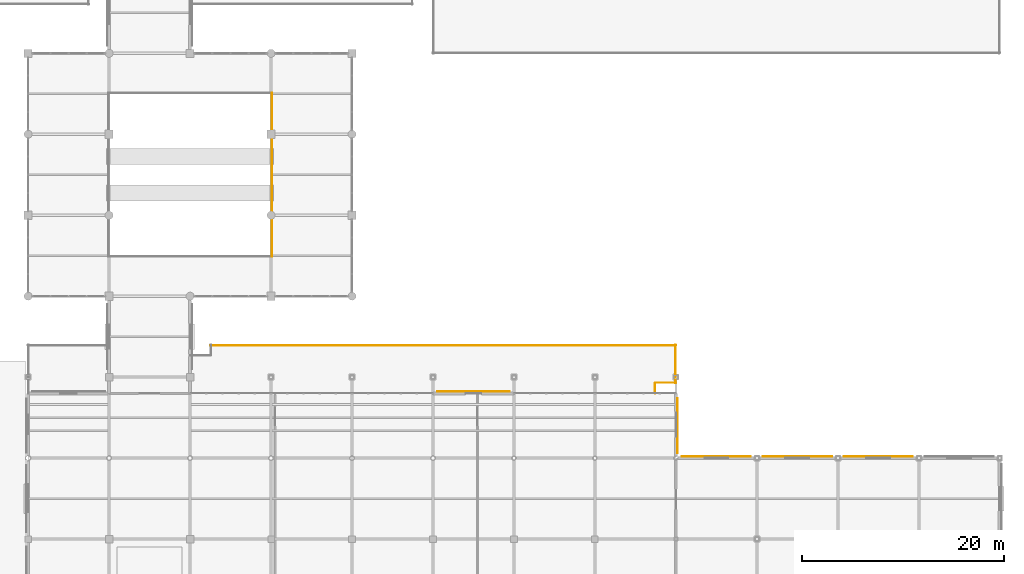
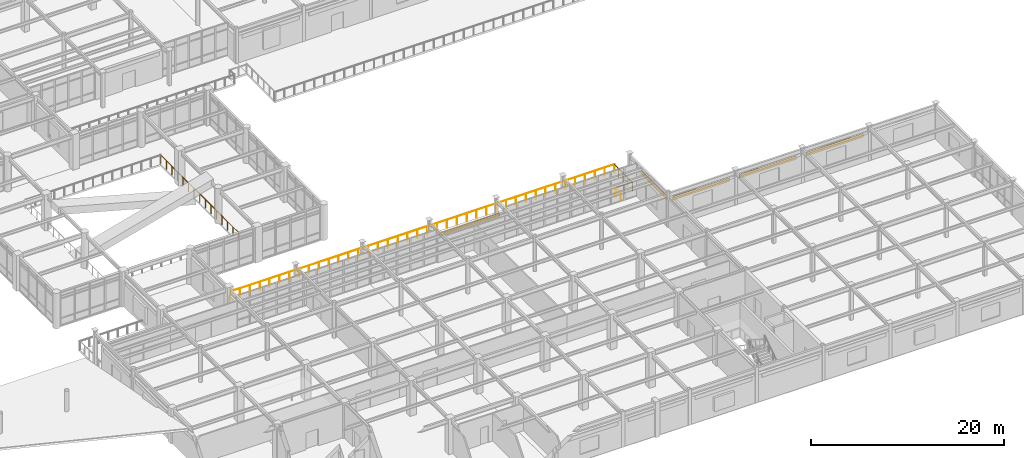
# One storey, part 103 of 111: 5 coverings, 5 railings.
"""IFC4 building model written with IfcOpenShell, lengths in metres."""

from ifc_helpers import new_model, si_unit, direction, frame, origin, origin_2d, place, context, subcontext, project, spatial, rectangle, circle, extrude, material, layer, layer_set, type_object, element, save


model = new_model("IFC4")

# Units and contexts
model_context = context("Model", 3, precision=1e-05, world=origin(), true_north=direction((0.0, 1.0)))
body_context = subcontext(model_context, "Body", "Model", "MODEL_VIEW")
ifc_project = project(units=[si_unit("LENGTHUNIT", "METRE"), si_unit("AREAUNIT", "SQUARE_METRE"), si_unit("VOLUMEUNIT", "CUBIC_METRE"), si_unit("PLANEANGLEUNIT", "RADIAN"), si_unit("MASSUNIT", "GRAM", prefix="KILO")], contexts=[model_context])

# Site, building, storey
site_placement = place(None, origin())
site = spatial("IfcSite", under=ifc_project, at=site_placement, CompositionType="ELEMENT")
building_placement = place(site_placement, origin())
building = spatial("IfcBuilding", under=site, at=building_placement, Name="Solmirada Galleria", CompositionType="ELEMENT")
storey_placement = place(building_placement, frame((0.0, 0.0, 10.39990234375)))
storey = spatial("IfcBuildingStorey", under=building, at=storey_placement, Name="L02", CompositionType="ELEMENT", Elevation=10.39990234375)

# Coverings
ifc_material_1 = material(Name="Limestone cladding panels", Category="masonry")
ifc_layer_1 = layer(ifc_material_1, 0.044921875)
ifc_layer_set_1 = layer_set([ifc_layer_1], Name="Limestone cladding panels")
covering_type_1 = type_object("IfcCoveringType", Name="COV-CLAD-LIME", PredefinedType="CLADDING", material=ifc_layer_set_1)
covering_1_placement = place(storey_placement, frame((124.0, 38.577392578125, 2.990234375), z_axis=(0.0, 0.0, 1.0), x_axis=(1.0, 0.0, 0.0)))
element("IfcCovering", 1, at=covering_1_placement, inside=storey, type_object=covering_type_1, Name="Postmodern facade cladding L02-172", PredefinedType="CLADDING", context=body_context, shape_type="SweptSolid", body=[
    extrude(rectangle(XDim=7.199951171875, YDim=0.044921875, at=origin_2d()), origin(), (0.0, 0.0, 1.0), 0.4599609375),
])
covering_2_placement = place(storey_placement, frame((148.0, 32.177490234375, 2.990234375), z_axis=(0.0, 0.0, 1.0), x_axis=(1.0, 0.0, 0.0)))
element("IfcCovering", 2, at=covering_2_placement, inside=storey, type_object=covering_type_1, Name="Postmodern facade cladding L02-174", PredefinedType="CLADDING", context=body_context, shape_type="SweptSolid", body=[
    extrude(rectangle(XDim=6.819091796875, YDim=0.044921875, at=origin_2d()), origin(), (0.0, 0.0, 1.0), 0.4599609375),
])
covering_3_placement = place(storey_placement, frame((164.0, 32.177490234375, 2.990234375), z_axis=(0.0, 0.0, 1.0), x_axis=(1.0, 0.0, 0.0)))
element("IfcCovering", 3, at=covering_3_placement, inside=storey, type_object=covering_type_1, Name="Postmodern facade cladding L02-176", PredefinedType="CLADDING", context=body_context, shape_type="SweptSolid", body=[
    extrude(rectangle(XDim=6.843994140625, YDim=0.044921875, at=origin_2d()), origin(), (0.0, 0.0, 1.0), 0.4599609375),
])
ifc_material_2 = material(Name="Glazed terracotta facade panels", Category="masonry")
ifc_layer_2 = layer(ifc_material_2, 0.0400390625)
ifc_layer_set_2 = layer_set([ifc_layer_2], Name="Glazed terracotta facade panels")
covering_type_2 = type_object("IfcCoveringType", Name="COV-CLAD-TERRA", PredefinedType="CLADDING", material=ifc_layer_set_2)
covering_4_placement = place(storey_placement, frame((144.175048828125, 35.199951171875, 2.990234375), z_axis=(0.0, 0.0, 1.0), x_axis=(0.0, -1.0, 0.0)))
element("IfcCovering", 4, at=covering_4_placement, inside=storey, type_object=covering_type_2, Name="Postmodern facade cladding L02-173", PredefinedType="CLADDING", context=body_context, shape_type="SweptSolid", body=[
    extrude(rectangle(XDim=5.39697265625, YDim=0.0400390625, at=origin_2d()), origin(), (0.0, 0.0, 1.0), 0.4599609375),
])
covering_5_placement = place(storey_placement, frame((156.0, 32.175048828125, 2.990234375), z_axis=(0.0, 0.0, 1.0), x_axis=(1.0, 0.0, 0.0)))
element("IfcCovering", 5, at=covering_5_placement, inside=storey, type_object=covering_type_2, Name="Postmodern facade cladding L02-175", PredefinedType="CLADDING", context=body_context, shape_type="SweptSolid", body=[
    extrude(rectangle(XDim=6.843994140625, YDim=0.0400390625, at=origin_2d()), origin(), (0.0, 0.0, 1.0), 0.4599609375),
])

# Railings
ifc_material_3 = material(Name="Tempered laminated glass and stainless-steel balustrade", Category="steel")
railing_type_1 = type_object("IfcRailingType", Name="RAIL-ATRIUM-BAL", PredefinedType="BALUSTRADE", material=ifc_material_3)
railing_1_placement = place(storey_placement, frame((104.080078125, 51.919921875, 0.0)))
element("IfcRailing", 6, at=railing_1_placement, inside=storey, type_object=railing_type_1, Name="Void balustrade ATRIUM L02-E1", PredefinedType="BALUSTRADE", context=body_context, shape_type="SweptSolid", body=[
    extrude(circle(Radius=0.02392578125, at=origin_2d()), frame((0.0, 0.0, 1.09619140625), z_axis=(0.0, 1.0, 0.0), x_axis=(-1.0, 0.0, 0.0)), (0.0, 0.0, 1.0), 16.16015625),
    extrude(circle(Radius=0.02099609375, at=origin_2d()), origin(), (0.0, 0.0, 1.0), 1.068115234375),
    extrude(circle(Radius=0.02099609375, at=origin_2d()), frame((0.0, 1.154296875, 0.0)), (0.0, 0.0, 1.0), 1.068115234375),
    extrude(circle(Radius=0.02099609375, at=origin_2d()), frame((0.0, 2.30859375, 0.0)), (0.0, 0.0, 1.0), 1.068115234375),
    extrude(circle(Radius=0.02099609375, at=origin_2d()), frame((0.0, 3.462890625, 0.0)), (0.0, 0.0, 1.0), 1.068115234375),
    extrude(circle(Radius=0.02099609375, at=origin_2d()), frame((0.0, 4.6171875, 0.0)), (0.0, 0.0, 1.0), 1.068115234375),
    extrude(circle(Radius=0.02099609375, at=origin_2d()), frame((0.0, 5.771484375, 0.0)), (0.0, 0.0, 1.0), 1.068115234375),
    extrude(circle(Radius=0.02099609375, at=origin_2d()), frame((0.0, 6.92578125, 0.0)), (0.0, 0.0, 1.0), 1.068115234375),
    extrude(circle(Radius=0.02099609375, at=origin_2d()), frame((0.0, 8.080078125, 0.0)), (0.0, 0.0, 1.0), 1.068115234375),
    extrude(circle(Radius=0.02099609375, at=origin_2d()), frame((0.0, 9.234375, 0.0)), (0.0, 0.0, 1.0), 1.068115234375),
    extrude(circle(Radius=0.02099609375, at=origin_2d()), frame((0.0, 10.388671875, 0.0)), (0.0, 0.0, 1.0), 1.068115234375),
    extrude(circle(Radius=0.02099609375, at=origin_2d()), frame((0.0, 11.54296875, 0.0)), (0.0, 0.0, 1.0), 1.068115234375),
    extrude(circle(Radius=0.02099609375, at=origin_2d()), frame((0.0, 12.697265625, 0.0)), (0.0, 0.0, 1.0), 1.068115234375),
    extrude(circle(Radius=0.02099609375, at=origin_2d()), frame((0.0, 13.8515625, 0.0)), (0.0, 0.0, 1.0), 1.068115234375),
    extrude(circle(Radius=0.02099609375, at=origin_2d()), frame((0.0, 15.005859375, 0.0)), (0.0, 0.0, 1.0), 1.068115234375),
    extrude(circle(Radius=0.02099609375, at=origin_2d()), frame((0.0, 16.16015625, 0.0)), (0.0, 0.0, 1.0), 1.068115234375),
])
ifc_material_4 = material(Name="Painted galvanized steel balustrade", Category="steel")
railing_type_2 = type_object("IfcRailingType", Name="RAIL-TERR-1100", PredefinedType="GUARDRAIL", material=ifc_material_4)
railing_2_placement = place(storey_placement, frame((141.949951171875, 38.39990234375, 0.0)))
element("IfcRailing", 7, at=railing_2_placement, inside=storey, type_object=railing_type_2, Name="Terrace guardrail L02-TERR-SE E2.1", PredefinedType="GUARDRAIL", context=body_context, shape_type="SweptSolid", body=[
    extrude(circle(Radius=0.02392578125, at=origin_2d()), frame((0.0, 0.0, 1.09619140625), z_axis=(0.0, 1.0, 0.0), x_axis=(-1.0, 0.0, 0.0)), (0.0, 0.0, 1.0), 1.0),
    extrude(circle(Radius=0.02099609375, at=origin_2d()), origin(), (0.0, 0.0, 1.0), 1.068115234375),
    extrude(circle(Radius=0.02099609375, at=origin_2d()), frame((0.0, 1.0, 0.0)), (0.0, 0.0, 1.0), 1.068115234375),
])
railing_3_placement = place(storey_placement, frame((142.0, 39.449951171875, 0.0)))
element("IfcRailing", 8, at=railing_3_placement, inside=storey, type_object=railing_type_2, Name="Terrace guardrail L02-TERR-SE E3.1", PredefinedType="GUARDRAIL", context=body_context, shape_type="SweptSolid", body=[
    extrude(circle(Radius=0.02392578125, at=origin_2d()), frame((0.0, 0.0, 1.09619140625), z_axis=(1.0, 0.0, 0.0), x_axis=(0.0, 1.0, 0.0)), (0.0, 0.0, 1.0), 2.0),
    extrude(circle(Radius=0.02099609375, at=origin_2d()), origin(), (0.0, 0.0, 1.0), 1.068115234375),
    extrude(circle(Radius=0.02099609375, at=origin_2d()), frame((1.0, 0.0, 0.0)), (0.0, 0.0, 1.0), 1.068115234375),
    extrude(circle(Radius=0.02099609375, at=origin_2d()), frame((2.0, 0.0, 0.0)), (0.0, 0.0, 1.0), 1.068115234375),
])
railing_4_placement = place(storey_placement, frame((143.949951171875, 39.39990234375, 0.0)))
element("IfcRailing", 9, at=railing_4_placement, inside=storey, type_object=railing_type_2, Name="Terrace guardrail L02-TERR-SE E4.1", PredefinedType="GUARDRAIL", context=body_context, shape_type="SweptSolid", body=[
    extrude(circle(Radius=0.02392578125, at=origin_2d()), frame((0.0, 0.0, 1.09619140625), z_axis=(0.0, 1.0, 0.0), x_axis=(-1.0, 0.0, 0.0)), (0.0, 0.0, 1.0), 3.800048828125),
    extrude(circle(Radius=0.02099609375, at=origin_2d()), origin(), (0.0, 0.0, 1.0), 1.068115234375),
    extrude(circle(Radius=0.02099609375, at=origin_2d()), frame((0.0, 0.949951171875, 0.0)), (0.0, 0.0, 1.0), 1.068115234375),
    extrude(circle(Radius=0.02099609375, at=origin_2d()), frame((0.0, 1.89990234375, 0.0)), (0.0, 0.0, 1.0), 1.068115234375),
    extrude(circle(Radius=0.02099609375, at=origin_2d()), frame((0.0, 2.85009765625, 0.0)), (0.0, 0.0, 1.0), 1.068115234375),
    extrude(circle(Radius=0.02099609375, at=origin_2d()), frame((0.0, 3.800048828125, 0.0)), (0.0, 0.0, 1.0), 1.068115234375),
])
railing_5_placement = place(storey_placement, frame((144.0, 43.14990234375, 0.0)))
element("IfcRailing", 10, at=railing_5_placement, inside=storey, type_object=railing_type_2, Name="Terrace guardrail L02-TERR-SE E5.1", PredefinedType="GUARDRAIL", context=body_context, shape_type="SweptSolid", body=[
    extrude(circle(Radius=0.02392578125, at=origin_2d()), frame((0.0, 0.0, 1.09619140625), z_axis=(-1.0, 0.0, 0.0), x_axis=(0.0, -1.0, 0.0)), (0.0, 0.0, 1.0), 46.0),
    extrude(circle(Radius=0.02099609375, at=origin_2d()), origin(), (0.0, 0.0, 1.0), 1.068115234375),
    extrude(circle(Radius=0.02099609375, at=origin_2d()), frame((-1.179443359375, 0.0, 0.0)), (0.0, 0.0, 1.0), 1.068115234375),
    extrude(circle(Radius=0.02099609375, at=origin_2d()), frame((-2.35888671875, 0.0, 0.0)), (0.0, 0.0, 1.0), 1.068115234375),
    extrude(circle(Radius=0.02099609375, at=origin_2d()), frame((-3.53857421875, 0.0, 0.0)), (0.0, 0.0, 1.0), 1.068115234375),
    extrude(circle(Radius=0.02099609375, at=origin_2d()), frame((-4.718017578125, 0.0, 0.0)), (0.0, 0.0, 1.0), 1.068115234375),
    extrude(circle(Radius=0.02099609375, at=origin_2d()), frame((-5.8974609375, 0.0, 0.0)), (0.0, 0.0, 1.0), 1.068115234375),
    extrude(circle(Radius=0.02099609375, at=origin_2d()), frame((-7.076904296875, 0.0, 0.0)), (0.0, 0.0, 1.0), 1.068115234375),
    extrude(circle(Radius=0.02099609375, at=origin_2d()), frame((-8.25634765625, 0.0, 0.0)), (0.0, 0.0, 1.0), 1.068115234375),
    extrude(circle(Radius=0.02099609375, at=origin_2d()), frame((-9.435791015625, 0.0, 0.0)), (0.0, 0.0, 1.0), 1.068115234375),
    extrude(circle(Radius=0.02099609375, at=origin_2d()), frame((-10.615478515625, 0.0, 0.0)), (0.0, 0.0, 1.0), 1.068115234375),
    extrude(circle(Radius=0.02099609375, at=origin_2d()), frame((-11.794921875, 0.0, 0.0)), (0.0, 0.0, 1.0), 1.068115234375),
    extrude(circle(Radius=0.02099609375, at=origin_2d()), frame((-12.974365234375, 0.0, 0.0)), (0.0, 0.0, 1.0), 1.068115234375),
    extrude(circle(Radius=0.02099609375, at=origin_2d()), frame((-14.15380859375, 0.0, 0.0)), (0.0, 0.0, 1.0), 1.068115234375),
    extrude(circle(Radius=0.02099609375, at=origin_2d()), frame((-15.333251953125, 0.0, 0.0)), (0.0, 0.0, 1.0), 1.068115234375),
    extrude(circle(Radius=0.02099609375, at=origin_2d()), frame((-16.512939453125, 0.0, 0.0)), (0.0, 0.0, 1.0), 1.068115234375),
    extrude(circle(Radius=0.02099609375, at=origin_2d()), frame((-17.6923828125, 0.0, 0.0)), (0.0, 0.0, 1.0), 1.068115234375),
    extrude(circle(Radius=0.02099609375, at=origin_2d()), frame((-18.871826171875, 0.0, 0.0)), (0.0, 0.0, 1.0), 1.068115234375),
    extrude(circle(Radius=0.02099609375, at=origin_2d()), frame((-20.05126953125, 0.0, 0.0)), (0.0, 0.0, 1.0), 1.068115234375),
    extrude(circle(Radius=0.02099609375, at=origin_2d()), frame((-21.230712890625, 0.0, 0.0)), (0.0, 0.0, 1.0), 1.068115234375),
    extrude(circle(Radius=0.02099609375, at=origin_2d()), frame((-22.41015625, 0.0, 0.0)), (0.0, 0.0, 1.0), 1.068115234375),
    extrude(circle(Radius=0.02099609375, at=origin_2d()), frame((-23.58984375, 0.0, 0.0)), (0.0, 0.0, 1.0), 1.068115234375),
    extrude(circle(Radius=0.02099609375, at=origin_2d()), frame((-24.769287109375, 0.0, 0.0)), (0.0, 0.0, 1.0), 1.068115234375),
    extrude(circle(Radius=0.02099609375, at=origin_2d()), frame((-25.94873046875, 0.0, 0.0)), (0.0, 0.0, 1.0), 1.068115234375),
    extrude(circle(Radius=0.02099609375, at=origin_2d()), frame((-27.128173828125, 0.0, 0.0)), (0.0, 0.0, 1.0), 1.068115234375),
    extrude(circle(Radius=0.02099609375, at=origin_2d()), frame((-28.3076171875, 0.0, 0.0)), (0.0, 0.0, 1.0), 1.068115234375),
    extrude(circle(Radius=0.02099609375, at=origin_2d()), frame((-29.487060546875, 0.0, 0.0)), (0.0, 0.0, 1.0), 1.068115234375),
    extrude(circle(Radius=0.02099609375, at=origin_2d()), frame((-30.666748046875, 0.0, 0.0)), (0.0, 0.0, 1.0), 1.068115234375),
    extrude(circle(Radius=0.02099609375, at=origin_2d()), frame((-31.84619140625, 0.0, 0.0)), (0.0, 0.0, 1.0), 1.068115234375),
    extrude(circle(Radius=0.02099609375, at=origin_2d()), frame((-33.025634765625, 0.0, 0.0)), (0.0, 0.0, 1.0), 1.068115234375),
    extrude(circle(Radius=0.02099609375, at=origin_2d()), frame((-34.205078125, 0.0, 0.0)), (0.0, 0.0, 1.0), 1.068115234375),
    extrude(circle(Radius=0.02099609375, at=origin_2d()), frame((-35.384521484375, 0.0, 0.0)), (0.0, 0.0, 1.0), 1.068115234375),
    extrude(circle(Radius=0.02099609375, at=origin_2d()), frame((-36.564208984375, 0.0, 0.0)), (0.0, 0.0, 1.0), 1.068115234375),
    extrude(circle(Radius=0.02099609375, at=origin_2d()), frame((-37.74365234375, 0.0, 0.0)), (0.0, 0.0, 1.0), 1.068115234375),
    extrude(circle(Radius=0.02099609375, at=origin_2d()), frame((-38.923095703125, 0.0, 0.0)), (0.0, 0.0, 1.0), 1.068115234375),
    extrude(circle(Radius=0.02099609375, at=origin_2d()), frame((-40.1025390625, 0.0, 0.0)), (0.0, 0.0, 1.0), 1.068115234375),
    extrude(circle(Radius=0.02099609375, at=origin_2d()), frame((-41.281982421875, 0.0, 0.0)), (0.0, 0.0, 1.0), 1.068115234375),
    extrude(circle(Radius=0.02099609375, at=origin_2d()), frame((-42.46142578125, 0.0, 0.0)), (0.0, 0.0, 1.0), 1.068115234375),
    extrude(circle(Radius=0.02099609375, at=origin_2d()), frame((-43.64111328125, 0.0, 0.0)), (0.0, 0.0, 1.0), 1.068115234375),
    extrude(circle(Radius=0.02099609375, at=origin_2d()), frame((-44.820556640625, 0.0, 0.0)), (0.0, 0.0, 1.0), 1.068115234375),
    extrude(circle(Radius=0.02099609375, at=origin_2d()), frame((-46.0, 0.0, 0.0)), (0.0, 0.0, 1.0), 1.068115234375),
])

save(model, "model.ifc")
